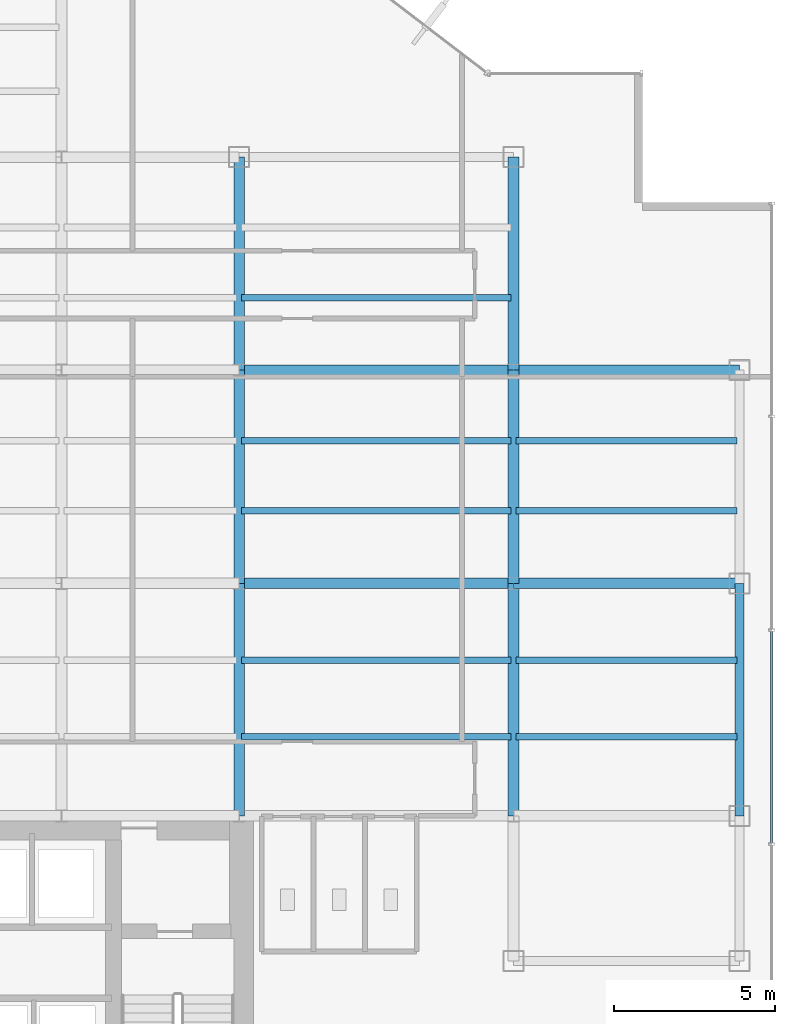
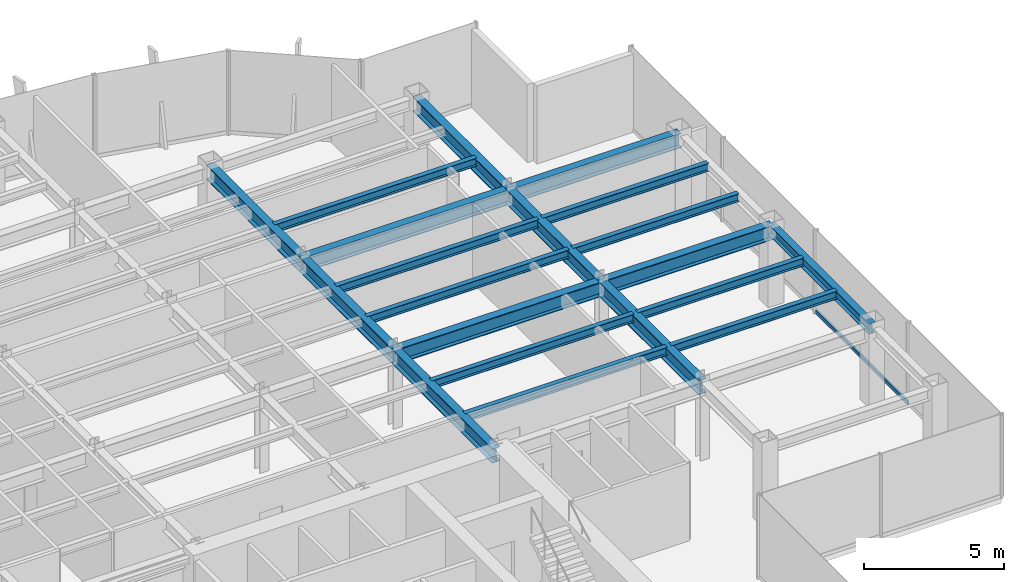
# One storey, part 12 of 25: 20 beams, 1 member, 1 element without a shape of its own.
"""IFC4 building model written with IfcOpenShell, lengths in metres."""

from ifc_helpers import new_model, si_unit, derived_unit, direction, frame, origin, origin_2d, place, context, subcontext, project, spatial, hollow_rectangle, i_section, extrude, source, transform, mapped, material, material_profile, profile_set, type_object, element, aggregate, save


model = new_model("IFC4")

# Units and contexts
model_context = context("Model", 3, precision=1e-05, world=origin(), true_north=direction((0.0, 1.0)))
body_context = subcontext(model_context, "Body", "Model", "MODEL_VIEW")
ifc_project = project(units=[si_unit("LENGTHUNIT", "METRE"), si_unit("AREAUNIT", "SQUARE_METRE"), si_unit("VOLUMEUNIT", "CUBIC_METRE"), si_unit("PLANEANGLEUNIT", "RADIAN"), si_unit("MASSUNIT", "GRAM", prefix="KILO"), derived_unit("THERMALTRANSMITTANCEUNIT", [(si_unit("POWERUNIT", "WATT"), 1), (si_unit("LENGTHUNIT", "METRE"), -2), (si_unit("THERMODYNAMICTEMPERATUREUNIT", "KELVIN"), -1)])], contexts=[model_context])

# Site, building, storey
site_placement = place(None, origin())
site = spatial("IfcSite", under=ifc_project, at=site_placement, CompositionType="ELEMENT")
building_placement = place(site_placement, origin())
building = spatial("IfcBuilding", under=site, at=building_placement, Name="Skarnbrae Concourse Arena and Tower", CompositionType="ELEMENT")
storey_placement = place(building_placement, frame((0.0, 0.0, 173.449951171875)))
storey = spatial("IfcBuildingStorey", under=building, at=storey_placement, Name="L44", CompositionType="ELEMENT", Elevation=173.449951171875)

# Beams
ifc_material_1 = material(Name="Steel CSA G40.21 350W", Category="steel")
ifc_material_profile_1 = material_profile(ifc_material_1, i_section(OverallWidth=0.3291015625, OverallDepth=0.635009765625, WebThickness=0.017822265625, FlangeThickness=0.031005859375, at=origin_2d()), Name="W610X241")
ifc_profile_set_1 = profile_set([ifc_material_profile_1], Name="Steel CSA G40.21 350W")
beam_type_1 = type_object("IfcBeamType", Name="BM-GIRD-W610X241", PredefinedType="BEAM", material=ifc_profile_set_1)
shared_shape_1 = source(origin(), body_context, "Body", "SweptSolid", [
    extrude(i_section(OverallWidth=0.3291015625, OverallDepth=0.635009765625, WebThickness=0.017822265625, FlangeThickness=0.031005859375, at=origin_2d()), origin(), (0.0, 0.0, 1.0), 6.60009765625),
])
for number, where, z_axis, x_axis, name in (
    (1, (33.5, 21.199951171875, 3.08251953125), (0.0, 1.0, 0.0), (-1.0, 0.0, 0.0), "L44 Primary N-S girder X33.5-2"),
    (2, (42.0, 21.199951171875, 3.08251953125), (0.0, 1.0, 0.0), (-1.0, 0.0, 0.0), "L44 Primary N-S girder X42.0-3"),
):
    element("IfcBeam", number, at=place(storey_placement, frame(where, z_axis=z_axis, x_axis=x_axis)), inside=storey, type_object=beam_type_1, Name=name, PredefinedType="BEAM", context=body_context, shape_type="MappedRepresentation", body=[
        mapped(shared_shape_1, transform((0.0, 0.0, 0.0))),
    ])
shared_shape_2 = source(origin(), body_context, "Body", "SweptSolid", [
    extrude(i_section(OverallWidth=0.3291015625, OverallDepth=0.635009765625, WebThickness=0.017822265625, FlangeThickness=0.031005859375, at=origin_2d()), origin(), (0.0, 0.0, 1.0), 8.5),
])
for number, where, z_axis, x_axis, name in (
    (3, (33.5, 21.199951171875, 3.08251953125), (1.0, 0.0, 0.0), (0.0, 1.0, 0.0), "L44 Primary E-W girder Y21.2-6"),
    (4, (33.5, 27.800048828125, 3.08251953125), (1.0, 0.0, 0.0), (0.0, 1.0, 0.0), "L44 Primary E-W girder Y27.8-6"),
):
    element("IfcBeam", number, at=place(storey_placement, frame(where, z_axis=z_axis, x_axis=x_axis)), inside=storey, type_object=beam_type_1, Name=name, PredefinedType="BEAM", context=body_context, shape_type="MappedRepresentation", body=[
        mapped(shared_shape_2, transform((0.0, 0.0, 0.0))),
    ])
shared_shape_3 = source(origin(), body_context, "Body", "SweptSolid", [
    extrude(i_section(OverallWidth=0.3291015625, OverallDepth=0.635009765625, WebThickness=0.017822265625, FlangeThickness=0.031005859375, at=origin_2d()), origin(), (0.0, 0.0, 1.0), 7.0),
])
for number, where, z_axis, x_axis, name in (
    (5, (42.0, 21.199951171875, 3.08251953125), (1.0, 0.0, 0.0), (0.0, 1.0, 0.0), "L44 Primary E-W girder Y21.2-7"),
    (6, (42.0, 27.800048828125, 3.08251953125), (1.0, 0.0, 0.0), (0.0, 1.0, 0.0), "L44 Primary E-W girder Y27.8-7"),
):
    element("IfcBeam", number, at=place(storey_placement, frame(where, z_axis=z_axis, x_axis=x_axis)), inside=storey, type_object=beam_type_1, Name=name, PredefinedType="BEAM", context=body_context, shape_type="MappedRepresentation", body=[
        mapped(shared_shape_3, transform((0.0, 0.0, 0.0))),
    ])
ifc_material_profile_2 = material_profile(ifc_material_1, i_section(OverallWidth=0.280029296875, OverallDepth=0.462890625, WebThickness=0.0107421875, FlangeThickness=0.017333984375, at=origin_2d()), Name="W460X113")
ifc_profile_set_2 = profile_set([ifc_material_profile_2], Name="Steel CSA G40.21 350W")
beam_type_2 = type_object("IfcBeamType", Name="BM-SPAN-W460X113", PredefinedType="SPANDREL", material=ifc_profile_set_2)
shared_shape_4 = source(origin(), body_context, "Body", "SweptSolid", [
    extrude(i_section(OverallWidth=0.280029296875, OverallDepth=0.462890625, WebThickness=0.0107421875, FlangeThickness=0.017333984375, at=origin_2d()), origin(), (0.0, 0.0, 1.0), 7.199951171875),
])
beam_placement = place(storey_placement, frame((49.0, 14.0, 3.16845703125), z_axis=(0.0, 1.0, 0.0), x_axis=(-1.0, 0.0, 0.0)))
element("IfcBeam", 7, at=beam_placement, inside=storey, type_object=beam_type_2, Name="L44 Perimeter spandrel X49.0-2", PredefinedType="SPANDREL", context=body_context, shape_type="MappedRepresentation", body=[
    mapped(shared_shape_4, transform((0.0, 0.0, 0.0))),
])
shared_shape_5 = source(origin(), body_context, "Body", "SweptSolid", [
    extrude(i_section(OverallWidth=0.3291015625, OverallDepth=0.635009765625, WebThickness=0.017822265625, FlangeThickness=0.031005859375, at=origin_2d()), origin(), (0.0, 0.0, 1.0), 7.199951171875),
])
for number, where, z_axis, x_axis, name in (
    (8, (33.5, 14.0, 3.08251953125), (0.0, 1.0, 0.0), (-1.0, 0.0, 0.0), "L44 Primary N-S girder X33.5-1"),
    (9, (42.0, 14.0, 3.08251953125), (0.0, 1.0, 0.0), (-1.0, 0.0, 0.0), "L44 Primary N-S girder X42.0-2"),
):
    element("IfcBeam", number, at=place(storey_placement, frame(where, z_axis=z_axis, x_axis=x_axis)), inside=storey, type_object=beam_type_1, Name=name, PredefinedType="BEAM", context=body_context, shape_type="MappedRepresentation", body=[
        mapped(shared_shape_5, transform((0.0, 0.0, 0.0))),
    ])
shared_shape_6 = source(origin(), body_context, "Body", "SweptSolid", [
    extrude(i_section(OverallWidth=0.3291015625, OverallDepth=0.635009765625, WebThickness=0.017822265625, FlangeThickness=0.031005859375, at=origin_2d()), origin(), (0.0, 0.0, 1.0), 6.599853515625),
])
for number, where, z_axis, x_axis, name in (
    (10, (33.5, 27.800048828125, 3.08251953125), (0.0, 1.0, 0.0), (-1.0, 0.0, 0.0), "L44 Primary N-S girder X33.5-3"),
    (11, (42.0, 27.800048828125, 3.08251953125), (0.0, 1.0, 0.0), (-1.0, 0.0, 0.0), "L44 Primary N-S girder X42.0-4"),
):
    element("IfcBeam", number, at=place(storey_placement, frame(where, z_axis=z_axis, x_axis=x_axis)), inside=storey, type_object=beam_type_1, Name=name, PredefinedType="BEAM", context=body_context, shape_type="MappedRepresentation", body=[
        mapped(shared_shape_6, transform((0.0, 0.0, 0.0))),
    ])
ifc_material_profile_3 = material_profile(ifc_material_1, i_section(OverallWidth=0.205078125, OverallDepth=0.35400390625, WebThickness=0.009521484375, FlangeThickness=0.016845703125, at=origin_2d()), Name="W360X79")
ifc_profile_set_3 = profile_set([ifc_material_profile_3], Name="Steel CSA G40.21 350W")
beam_type_3 = type_object("IfcBeamType", Name="BM-JOIST-W360X79", PredefinedType="JOIST", material=ifc_profile_set_3)
shared_shape_7 = source(origin(), body_context, "Body", "SweptSolid", [
    extrude(i_section(OverallWidth=0.205078125, OverallDepth=0.35400390625, WebThickness=0.009521484375, FlangeThickness=0.016845703125, at=origin_2d()), origin(), (0.0, 0.0, 1.0), 8.33984375),
])
for number, where, z_axis, x_axis, name in (
    (12, (33.580078125, 16.447998046875, 3.22314453125), (1.0, 0.0, 0.0), (0.0, 1.0, 0.0), "L44 Secondary floor joist 1.1.6"),
    (13, (33.580078125, 18.823974609375, 3.22314453125), (1.0, 0.0, 0.0), (0.0, 1.0, 0.0), "L44 Secondary floor joist 1.2.6"),
    (14, (33.580078125, 23.444091796875, 3.22314453125), (1.0, 0.0, 0.0), (0.0, 1.0, 0.0), "L44 Secondary floor joist 2.1.6"),
    (15, (33.580078125, 25.6220703125, 3.22314453125), (1.0, 0.0, 0.0), (0.0, 1.0, 0.0), "L44 Secondary floor joist 2.2.6"),
    (16, (33.580078125, 30.0439453125, 3.22314453125), (1.0, 0.0, 0.0), (0.0, 1.0, 0.0), "L44 Secondary floor joist 3.1.5"),
):
    element("IfcBeam", number, at=place(storey_placement, frame(where, z_axis=z_axis, x_axis=x_axis)), inside=storey, type_object=beam_type_3, Name=name, PredefinedType="JOIST", context=body_context, shape_type="MappedRepresentation", body=[
        mapped(shared_shape_7, transform((0.0, 0.0, 0.0))),
    ])
shared_shape_8 = source(origin(), body_context, "Body", "SweptSolid", [
    extrude(i_section(OverallWidth=0.205078125, OverallDepth=0.35400390625, WebThickness=0.009521484375, FlangeThickness=0.016845703125, at=origin_2d()), origin(), (0.0, 0.0, 1.0), 6.83984375),
])
for number, where, z_axis, x_axis, name in (
    (17, (42.080078125, 16.447998046875, 3.22314453125), (1.0, 0.0, 0.0), (0.0, 1.0, 0.0), "L44 Secondary floor joist 1.1.7"),
    (18, (42.080078125, 18.823974609375, 3.22314453125), (1.0, 0.0, 0.0), (0.0, 1.0, 0.0), "L44 Secondary floor joist 1.2.7"),
    (19, (42.080078125, 23.444091796875, 3.22314453125), (1.0, 0.0, 0.0), (0.0, 1.0, 0.0), "L44 Secondary floor joist 2.1.7"),
    (20, (42.080078125, 25.6220703125, 3.22314453125), (1.0, 0.0, 0.0), (0.0, 1.0, 0.0), "L44 Secondary floor joist 2.2.7"),
):
    element("IfcBeam", number, at=place(storey_placement, frame(where, z_axis=z_axis, x_axis=x_axis)), inside=storey, type_object=beam_type_3, Name=name, PredefinedType="JOIST", context=body_context, shape_type="MappedRepresentation", body=[
        mapped(shared_shape_8, transform((0.0, 0.0, 0.0))),
    ])

# Curtain wall, member
ifc_material_2 = material(Name="Bronze anodised aluminium 6063-T6", Category="aluminium")
curtain_wall_type = type_object("IfcCurtainWallType", Name="CW-SYS-04-MIDZONE", PredefinedType="USERDEFINED", material=ifc_material_2)
curtain_wall_placement = place(storey_placement, origin())
curtain_wall = element("IfcCurtainWall", 21, at=curtain_wall_placement, inside=storey, type_object=curtain_wall_type, Name="L44 Unitised curtain wall CW-L44-E04", ObjectType="UNITISED CURTAIN WALL", PredefinedType="USERDEFINED")
ifc_material_profile_4 = material_profile(ifc_material_2, hollow_rectangle(XDim=0.074951171875, YDim=0.159912109375, WallThickness=0.00439453125, at=origin_2d()), Name="ALU-TRAN-75X160")
ifc_profile_set_4 = profile_set([ifc_material_profile_4], Name="Bronze anodised aluminium 6063-T6")
member_type = type_object("IfcMemberType", Name="CWT-CW-04", PredefinedType="USERDEFINED", material=ifc_profile_set_4)
shared_shape_9 = source(origin(), body_context, "Body", "SweptSolid", [
    extrude(hollow_rectangle(XDim=0.074951171875, YDim=0.159912109375, WallThickness=0.00439453125, at=origin_2d()), origin(), (0.0, 0.0, 1.0), 6.5498046875),
])
member_placement = place(storey_placement, frame((50.0, 13.16259765625, 0.080078125), z_axis=(0.0, 1.0, 0.0), x_axis=(-1.0, 0.0, 0.0)))
member = element("IfcMember", 22, at=member_placement, type_object=member_type, Name="CW-L44-E04 Transom 2", ObjectType="TRANSOM", PredefinedType="USERDEFINED", context=body_context, shape_type="MappedRepresentation", body=[
    mapped(shared_shape_9, transform((0.0, 0.0, 0.0))),
])
aggregate(curtain_wall, [member])

save(model, "model.ifc")
